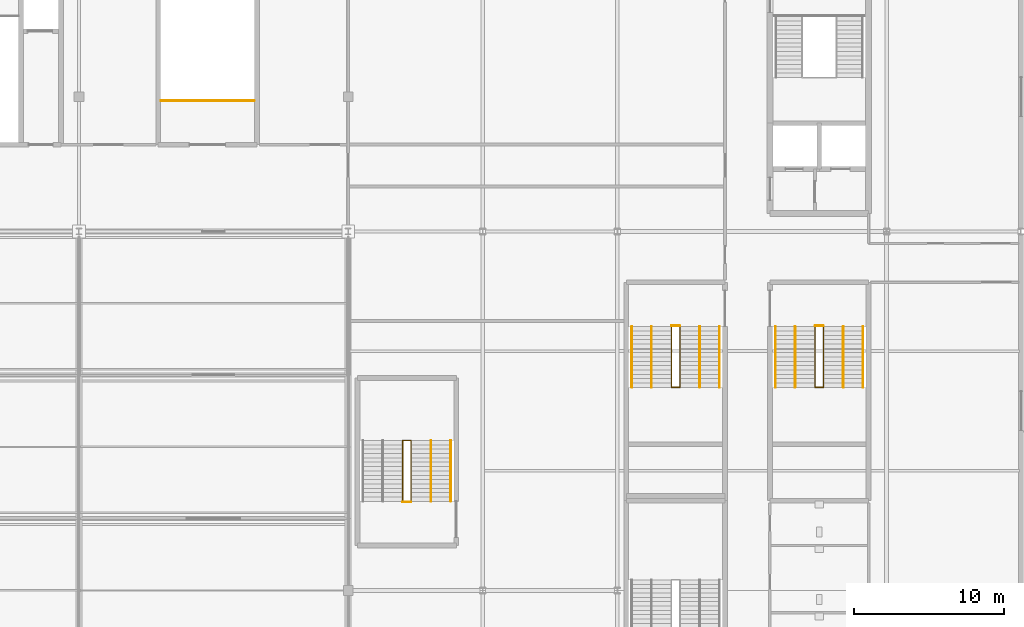
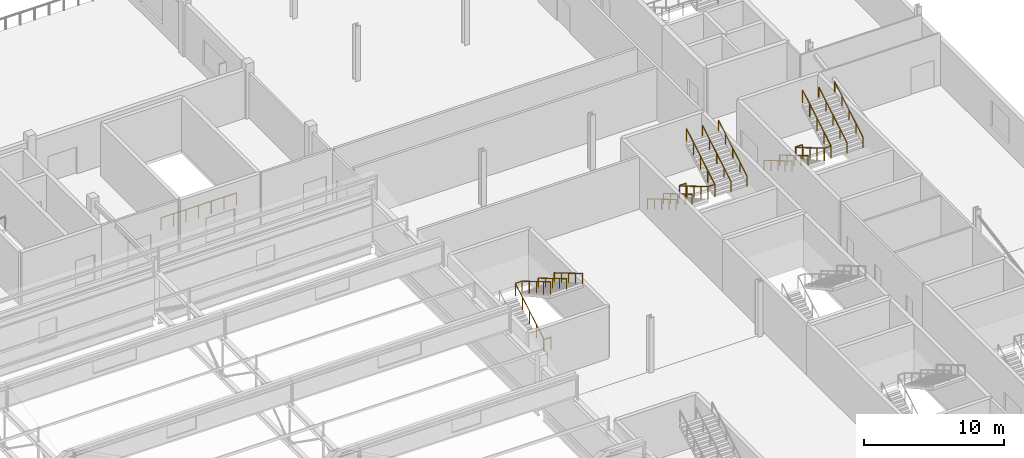
# One storey, part 134 of 136: 17 railings.
"""IFC4 building model written with IfcOpenShell, lengths in metres."""

from ifc_helpers import new_model, si_unit, direction, frame, origin, origin_2d, place, context, subcontext, project, spatial, circle, extrude, material, type_object, element, save


model = new_model("IFC4")

# Units and contexts
model_context = context("Model", 3, precision=1e-05, world=origin(), true_north=direction((0.0, 1.0)))
body_context = subcontext(model_context, "Body", "Model", "MODEL_VIEW")
ifc_project = project(units=[si_unit("LENGTHUNIT", "METRE"), si_unit("AREAUNIT", "SQUARE_METRE"), si_unit("VOLUMEUNIT", "CUBIC_METRE"), si_unit("PLANEANGLEUNIT", "RADIAN"), si_unit("MASSUNIT", "GRAM", prefix="KILO")], contexts=[model_context])

# Site, building, storey
site_placement = place(None, origin())
site = spatial("IfcSite", under=ifc_project, at=site_placement, CompositionType="ELEMENT")
building_placement = place(site_placement, origin())
building = spatial("IfcBuilding", under=site, at=building_placement, Name="Kisiwana Market Hall", CompositionType="ELEMENT")
storey_placement = place(building_placement, frame((0.0, 0.0, 16.800048828125)))
storey = spatial("IfcBuildingStorey", under=building, at=storey_placement, Name="L03", CompositionType="ELEMENT", Elevation=16.800048828125)

# Railings
ifc_material_1 = material(Name="Steel S275", Category="steel")
railing_type_1 = type_object("IfcRailingType", Name="RL-GUARD-1100", PredefinedType="GUARDRAIL", material=ifc_material_1)
railing_1_placement = place(storey_placement, frame((184.219970703125, 77.639892578125, 0.0)))
element("IfcRailing", 1, at=railing_1_placement, inside=storey, type_object=railing_type_1, Name="Stair ST-E4-L03 inner-well guardrail (RL-677)", PredefinedType="GUARDRAIL", context=body_context, shape_type="SweptSolid", body=[
    extrude(circle(Radius=0.02392578125, at=origin_2d()), frame((0.0, 0.0, 1.076171875), z_axis=(0.0, -0.860840976868, 0.508874063541), x_axis=(1.0, 0.0, 0.0)), (0.0, 0.0, 1.0), 4.716064453125),
    extrude(circle(Radius=0.02392578125, at=origin_2d()), frame((0.0, -4.059814453125, 3.47607421875), z_axis=(1.0, 0.0, 0.0), x_axis=(0.0, 1.0, 0.0)), (0.0, 0.0, 1.0), 0.56005859375),
    extrude(circle(Radius=0.02392578125, at=origin_2d()), frame((0.56005859375, -4.059814453125, 3.47607421875), z_axis=(0.0, 0.860818299379, 0.50891242415), x_axis=(-1.0, 0.0, 0.0)), (0.0, 0.0, 1.0), 4.71630859375),
    extrude(circle(Radius=0.02099609375, at=origin_2d()), origin(), (0.0, 0.0, 1.0), 1.052001953125),
    extrude(circle(Radius=0.02099609375, at=origin_2d()), frame((0.0, -1.014892578125, 0.60009765625)), (0.0, 0.0, 1.0), 1.052001953125),
    extrude(circle(Radius=0.02099609375, at=origin_2d()), frame((0.0, -2.02978515625, 1.199951171875)), (0.0, 0.0, 1.0), 1.052001953125),
    extrude(circle(Radius=0.02099609375, at=origin_2d()), frame((0.0, -3.044921875, 1.7998046875)), (0.0, 0.0, 1.0), 1.052001953125),
    extrude(circle(Radius=0.02099609375, at=origin_2d()), frame((0.0, -4.059814453125, 2.39990234375)), (0.0, 0.0, 1.0), 1.052001953125),
    extrude(circle(Radius=0.02099609375, at=origin_2d()), frame((0.56005859375, -4.059814453125, 2.39990234375)), (0.0, 0.0, 1.0), 1.052001953125),
    extrude(circle(Radius=0.02099609375, at=origin_2d()), frame((0.56005859375, -3.044921875, 3.0)), (0.0, 0.0, 1.0), 1.052001953125),
    extrude(circle(Radius=0.02099609375, at=origin_2d()), frame((0.56005859375, -2.02978515625, 3.60009765625)), (0.0, 0.0, 1.0), 1.052001953125),
    extrude(circle(Radius=0.02099609375, at=origin_2d()), frame((0.56005859375, -1.014892578125, 4.199951171875)), (0.0, 0.0, 1.0), 1.052001953125),
    extrude(circle(Radius=0.02099609375, at=origin_2d()), frame((0.56005859375, 0.0, 4.800048828125)), (0.0, 0.0, 1.0), 1.052001953125),
])
railing_2_placement = place(storey_placement, frame((184.219970703125, 77.68994140625, 0.0)))
element("IfcRailing", 2, at=railing_2_placement, inside=storey, type_object=railing_type_1, Name="Stair ST-E4-L03 landing edge guardrail (RL-682)", PredefinedType="GUARDRAIL", context=body_context, shape_type="SweptSolid", body=[
    extrude(circle(Radius=0.02392578125, at=origin_2d()), frame((0.0, 0.0, 1.076171875), z_axis=(1.0, 0.0, 0.0), x_axis=(0.0, 1.0, 0.0)), (0.0, 0.0, 1.0), 0.56005859375),
    extrude(circle(Radius=0.02099609375, at=origin_2d()), origin(), (0.0, 0.0, 1.0), 1.052001953125),
    extrude(circle(Radius=0.02099609375, at=origin_2d()), frame((0.56005859375, 0.0, 0.0)), (0.0, 0.0, 1.0), 1.052001953125),
])
railing_3_placement = place(storey_placement, frame((174.6201171875, 77.639892578125, 0.0)))
element("IfcRailing", 3, at=railing_3_placement, inside=storey, type_object=railing_type_1, Name="Stair ST-E8-L03 inner-well guardrail (RL-701)", PredefinedType="GUARDRAIL", context=body_context, shape_type="SweptSolid", body=[
    extrude(circle(Radius=0.02392578125, at=origin_2d()), frame((0.0, 0.0, 1.076171875), z_axis=(0.0, -0.860840976868, 0.508874063541), x_axis=(1.0, 0.0, 0.0)), (0.0, 0.0, 1.0), 4.716064453125),
    extrude(circle(Radius=0.02392578125, at=origin_2d()), frame((0.0, -4.059814453125, 3.47607421875), z_axis=(1.0, 0.0, 0.0), x_axis=(0.0, 1.0, 0.0)), (0.0, 0.0, 1.0), 0.559814453125),
    extrude(circle(Radius=0.02392578125, at=origin_2d()), frame((0.559814453125, -4.059814453125, 3.47607421875), z_axis=(0.0, 0.860818299379, 0.50891242415), x_axis=(-1.0, 0.0, 0.0)), (0.0, 0.0, 1.0), 4.71630859375),
    extrude(circle(Radius=0.02099609375, at=origin_2d()), origin(), (0.0, 0.0, 1.0), 1.052001953125),
    extrude(circle(Radius=0.02099609375, at=origin_2d()), frame((0.0, -1.014892578125, 0.60009765625)), (0.0, 0.0, 1.0), 1.052001953125),
    extrude(circle(Radius=0.02099609375, at=origin_2d()), frame((0.0, -2.02978515625, 1.199951171875)), (0.0, 0.0, 1.0), 1.052001953125),
    extrude(circle(Radius=0.02099609375, at=origin_2d()), frame((0.0, -3.044921875, 1.7998046875)), (0.0, 0.0, 1.0), 1.052001953125),
    extrude(circle(Radius=0.02099609375, at=origin_2d()), frame((0.0, -4.059814453125, 2.39990234375)), (0.0, 0.0, 1.0), 1.052001953125),
    extrude(circle(Radius=0.02099609375, at=origin_2d()), frame((0.559814453125, -4.059814453125, 2.39990234375)), (0.0, 0.0, 1.0), 1.052001953125),
    extrude(circle(Radius=0.02099609375, at=origin_2d()), frame((0.559814453125, -3.044921875, 3.0)), (0.0, 0.0, 1.0), 1.052001953125),
    extrude(circle(Radius=0.02099609375, at=origin_2d()), frame((0.559814453125, -2.02978515625, 3.60009765625)), (0.0, 0.0, 1.0), 1.052001953125),
    extrude(circle(Radius=0.02099609375, at=origin_2d()), frame((0.559814453125, -1.014892578125, 4.199951171875)), (0.0, 0.0, 1.0), 1.052001953125),
    extrude(circle(Radius=0.02099609375, at=origin_2d()), frame((0.559814453125, 0.0, 4.800048828125)), (0.0, 0.0, 1.0), 1.052001953125),
])
railing_4_placement = place(storey_placement, frame((174.6201171875, 77.68994140625, 0.0)))
element("IfcRailing", 4, at=railing_4_placement, inside=storey, type_object=railing_type_1, Name="Stair ST-E8-L03 landing edge guardrail (RL-706)", PredefinedType="GUARDRAIL", context=body_context, shape_type="SweptSolid", body=[
    extrude(circle(Radius=0.02392578125, at=origin_2d()), frame((0.0, 0.0, 1.076171875), z_axis=(1.0, 0.0, 0.0), x_axis=(0.0, 1.0, 0.0)), (0.0, 0.0, 1.0), 0.559814453125),
    extrude(circle(Radius=0.02099609375, at=origin_2d()), origin(), (0.0, 0.0, 1.0), 1.052001953125),
    extrude(circle(Radius=0.02099609375, at=origin_2d()), frame((0.559814453125, 0.0, 0.0)), (0.0, 0.0, 1.0), 1.052001953125),
])
railing_5_placement = place(storey_placement, frame((156.64990234375, 65.9599609375, 0.0)))
element("IfcRailing", 5, at=railing_5_placement, inside=storey, type_object=railing_type_1, Name="Stair ST-E10-L03 inner-well guardrail (RL-725)", PredefinedType="GUARDRAIL", context=body_context, shape_type="SweptSolid", body=[
    extrude(circle(Radius=0.02392578125, at=origin_2d()), frame((0.0, 0.0, 1.076171875), z_axis=(0.0, 0.8608543813, 0.508851387142), x_axis=(-1.0, 0.0, 0.0)), (0.0, 0.0, 1.0), 4.71630859375),
    extrude(circle(Radius=0.02392578125, at=origin_2d()), frame((0.0, 4.06005859375, 3.47607421875), z_axis=(1.0, 0.0, 0.0), x_axis=(0.0, 1.0, 0.0)), (0.0, 0.0, 1.0), 0.56005859375),
    extrude(circle(Radius=0.02392578125, at=origin_2d()), frame((0.56005859375, 4.06005859375, 3.47607421875), z_axis=(0.0, -0.860831705478, 0.508889747237), x_axis=(1.0, 0.0, 0.0)), (0.0, 0.0, 1.0), 4.716552734375),
    extrude(circle(Radius=0.02099609375, at=origin_2d()), origin(), (0.0, 0.0, 1.0), 1.052001953125),
    extrude(circle(Radius=0.02099609375, at=origin_2d()), frame((0.0, 1.01513671875, 0.60009765625)), (0.0, 0.0, 1.0), 1.052001953125),
    extrude(circle(Radius=0.02099609375, at=origin_2d()), frame((0.0, 2.030029296875, 1.199951171875)), (0.0, 0.0, 1.0), 1.052001953125),
    extrude(circle(Radius=0.02099609375, at=origin_2d()), frame((0.0, 3.044921875, 1.7998046875)), (0.0, 0.0, 1.0), 1.052001953125),
    extrude(circle(Radius=0.02099609375, at=origin_2d()), frame((0.0, 4.06005859375, 2.39990234375)), (0.0, 0.0, 1.0), 1.052001953125),
    extrude(circle(Radius=0.02099609375, at=origin_2d()), frame((0.56005859375, 4.06005859375, 2.39990234375)), (0.0, 0.0, 1.0), 1.052001953125),
    extrude(circle(Radius=0.02099609375, at=origin_2d()), frame((0.56005859375, 3.044921875, 3.0)), (0.0, 0.0, 1.0), 1.052001953125),
    extrude(circle(Radius=0.02099609375, at=origin_2d()), frame((0.56005859375, 2.030029296875, 3.60009765625)), (0.0, 0.0, 1.0), 1.052001953125),
    extrude(circle(Radius=0.02099609375, at=origin_2d()), frame((0.56005859375, 1.01513671875, 4.199951171875)), (0.0, 0.0, 1.0), 1.052001953125),
    extrude(circle(Radius=0.02099609375, at=origin_2d()), frame((0.56005859375, 0.0, 4.800048828125)), (0.0, 0.0, 1.0), 1.052001953125),
])
railing_6_placement = place(storey_placement, frame((156.64990234375, 65.909912109375, 0.0)))
element("IfcRailing", 6, at=railing_6_placement, inside=storey, type_object=railing_type_1, Name="Stair ST-E10-L03 landing edge guardrail (RL-730)", PredefinedType="GUARDRAIL", context=body_context, shape_type="SweptSolid", body=[
    extrude(circle(Radius=0.02392578125, at=origin_2d()), frame((0.0, 0.0, 1.076171875), z_axis=(1.0, 0.0, 0.0), x_axis=(0.0, 1.0, 0.0)), (0.0, 0.0, 1.0), 0.56005859375),
    extrude(circle(Radius=0.02099609375, at=origin_2d()), origin(), (0.0, 0.0, 1.0), 1.052001953125),
    extrude(circle(Radius=0.02099609375, at=origin_2d()), frame((0.56005859375, 0.0, 0.0)), (0.0, 0.0, 1.0), 1.052001953125),
])
railing_7_placement = place(storey_placement, frame((140.47998046875, 92.739990234375, 0.0)))
element("IfcRailing", 7, at=railing_7_placement, inside=storey, type_object=railing_type_1, Name="Core N6 top stairwell guardrail (L03) (RL-750)", PredefinedType="GUARDRAIL", context=body_context, shape_type="SweptSolid", body=[
    extrude(circle(Radius=0.02392578125, at=origin_2d()), frame((0.0, 0.0, 1.076171875), z_axis=(1.0, 0.0, 0.0), x_axis=(0.0, 1.0, 0.0)), (0.0, 0.0, 1.0), 6.239990234375),
    extrude(circle(Radius=0.02099609375, at=origin_2d()), origin(), (0.0, 0.0, 1.0), 1.052001953125),
    extrude(circle(Radius=0.02099609375, at=origin_2d()), frame((1.0400390625, 0.0, 0.0)), (0.0, 0.0, 1.0), 1.052001953125),
    extrude(circle(Radius=0.02099609375, at=origin_2d()), frame((2.080078125, 0.0, 0.0)), (0.0, 0.0, 1.0), 1.052001953125),
    extrude(circle(Radius=0.02099609375, at=origin_2d()), frame((3.1201171875, 0.0, 0.0)), (0.0, 0.0, 1.0), 1.052001953125),
    extrude(circle(Radius=0.02099609375, at=origin_2d()), frame((4.159912109375, 0.0, 0.0)), (0.0, 0.0, 1.0), 1.052001953125),
    extrude(circle(Radius=0.02099609375, at=origin_2d()), frame((5.199951171875, 0.0, 0.0)), (0.0, 0.0, 1.0), 1.052001953125),
    extrude(circle(Radius=0.02099609375, at=origin_2d()), frame((6.239990234375, 0.0, 0.0)), (0.0, 0.0, 1.0), 1.052001953125),
])
ifc_material_2 = material(Name="Steel S275", Category="steel")
railing_type_2 = type_object("IfcRailingType", Name="RL-HAND-900", PredefinedType="HANDRAIL", material=ifc_material_2)
railing_8_placement = place(storey_placement, frame((181.570068359375, 77.639892578125, 0.0)))
element("IfcRailing", 8, at=railing_8_placement, inside=storey, type_object=railing_type_2, Name="Stair ST-E4-L03 flight 1 handrail (RL-678)", PredefinedType="HANDRAIL", context=body_context, shape_type="SweptSolid", body=[
    extrude(circle(Radius=0.02392578125, at=origin_2d()), frame((0.0, 0.0, 0.8759765625), z_axis=(0.0, -0.860840976868, 0.508874063541), x_axis=(1.0, 0.0, 0.0)), (0.0, 0.0, 1.0), 4.716064453125),
    extrude(circle(Radius=0.02099609375, at=origin_2d()), origin(), (0.0, 0.0, 1.0), 0.851806640625),
    extrude(circle(Radius=0.02099609375, at=origin_2d()), frame((0.0, -1.014892578125, 0.60009765625)), (0.0, 0.0, 1.0), 0.851806640625),
    extrude(circle(Radius=0.02099609375, at=origin_2d()), frame((0.0, -2.02978515625, 1.199951171875)), (0.0, 0.0, 1.0), 0.851806640625),
    extrude(circle(Radius=0.02099609375, at=origin_2d()), frame((0.0, -3.044921875, 1.7998046875)), (0.0, 0.0, 1.0), 0.851806640625),
    extrude(circle(Radius=0.02099609375, at=origin_2d()), frame((0.0, -4.059814453125, 2.39990234375)), (0.0, 0.0, 1.0), 0.851806640625),
])
railing_9_placement = place(storey_placement, frame((187.429931640625, 73.580078125, 2.39990234375)))
element("IfcRailing", 9, at=railing_9_placement, inside=storey, type_object=railing_type_2, Name="Stair ST-E4-L03 flight 2 handrail (RL-679)", PredefinedType="HANDRAIL", context=body_context, shape_type="SweptSolid", body=[
    extrude(circle(Radius=0.02392578125, at=origin_2d()), frame((0.0, 0.0, 0.8759765625), z_axis=(0.0, 0.860818299379, 0.50891242415), x_axis=(-1.0, 0.0, 0.0)), (0.0, 0.0, 1.0), 4.71630859375),
    extrude(circle(Radius=0.02099609375, at=origin_2d()), origin(), (0.0, 0.0, 1.0), 0.851806640625),
    extrude(circle(Radius=0.02099609375, at=origin_2d()), frame((0.0, 1.014892578125, 0.60009765625)), (0.0, 0.0, 1.0), 0.851806640625),
    extrude(circle(Radius=0.02099609375, at=origin_2d()), frame((0.0, 2.02978515625, 1.2001953125)), (0.0, 0.0, 1.0), 0.851806640625),
    extrude(circle(Radius=0.02099609375, at=origin_2d()), frame((0.0, 3.044921875, 1.800048828125)), (0.0, 0.0, 1.0), 0.851806640625),
    extrude(circle(Radius=0.02099609375, at=origin_2d()), frame((0.0, 4.059814453125, 2.400146484375)), (0.0, 0.0, 1.0), 0.851806640625),
])
railing_10_placement = place(storey_placement, frame((182.889892578125, 77.639892578125, 0.0)))
element("IfcRailing", 10, at=railing_10_placement, inside=storey, type_object=railing_type_2, Name="Stair ST-E4-L03 flight 1 intermediate handrail (RL-680)", PredefinedType="HANDRAIL", context=body_context, shape_type="SweptSolid", body=[
    extrude(circle(Radius=0.02392578125, at=origin_2d()), frame((0.0, 0.0, 0.8759765625), z_axis=(0.0, -0.860840976868, 0.508874063541), x_axis=(1.0, 0.0, 0.0)), (0.0, 0.0, 1.0), 4.716064453125),
    extrude(circle(Radius=0.02099609375, at=origin_2d()), origin(), (0.0, 0.0, 1.0), 0.851806640625),
    extrude(circle(Radius=0.02099609375, at=origin_2d()), frame((0.0, -1.014892578125, 0.60009765625)), (0.0, 0.0, 1.0), 0.851806640625),
    extrude(circle(Radius=0.02099609375, at=origin_2d()), frame((0.0, -2.02978515625, 1.199951171875)), (0.0, 0.0, 1.0), 0.851806640625),
    extrude(circle(Radius=0.02099609375, at=origin_2d()), frame((0.0, -3.044921875, 1.7998046875)), (0.0, 0.0, 1.0), 0.851806640625),
    extrude(circle(Radius=0.02099609375, at=origin_2d()), frame((0.0, -4.059814453125, 2.39990234375)), (0.0, 0.0, 1.0), 0.851806640625),
])
railing_11_placement = place(storey_placement, frame((186.110107421875, 73.580078125, 2.39990234375)))
element("IfcRailing", 11, at=railing_11_placement, inside=storey, type_object=railing_type_2, Name="Stair ST-E4-L03 flight 2 intermediate handrail (RL-681)", PredefinedType="HANDRAIL", context=body_context, shape_type="SweptSolid", body=[
    extrude(circle(Radius=0.02392578125, at=origin_2d()), frame((0.0, 0.0, 0.8759765625), z_axis=(0.0, 0.860818299379, 0.50891242415), x_axis=(-1.0, 0.0, 0.0)), (0.0, 0.0, 1.0), 4.71630859375),
    extrude(circle(Radius=0.02099609375, at=origin_2d()), origin(), (0.0, 0.0, 1.0), 0.851806640625),
    extrude(circle(Radius=0.02099609375, at=origin_2d()), frame((0.0, 1.014892578125, 0.60009765625)), (0.0, 0.0, 1.0), 0.851806640625),
    extrude(circle(Radius=0.02099609375, at=origin_2d()), frame((0.0, 2.02978515625, 1.2001953125)), (0.0, 0.0, 1.0), 0.851806640625),
    extrude(circle(Radius=0.02099609375, at=origin_2d()), frame((0.0, 3.044921875, 1.800048828125)), (0.0, 0.0, 1.0), 0.851806640625),
    extrude(circle(Radius=0.02099609375, at=origin_2d()), frame((0.0, 4.059814453125, 2.400146484375)), (0.0, 0.0, 1.0), 0.851806640625),
])
railing_12_placement = place(storey_placement, frame((171.969970703125, 77.639892578125, 0.0)))
element("IfcRailing", 12, at=railing_12_placement, inside=storey, type_object=railing_type_2, Name="Stair ST-E8-L03 flight 1 handrail (RL-702)", PredefinedType="HANDRAIL", context=body_context, shape_type="SweptSolid", body=[
    extrude(circle(Radius=0.02392578125, at=origin_2d()), frame((0.0, 0.0, 0.8759765625), z_axis=(0.0, -0.860840976868, 0.508874063541), x_axis=(1.0, 0.0, 0.0)), (0.0, 0.0, 1.0), 4.716064453125),
    extrude(circle(Radius=0.02099609375, at=origin_2d()), origin(), (0.0, 0.0, 1.0), 0.851806640625),
    extrude(circle(Radius=0.02099609375, at=origin_2d()), frame((0.0, -1.014892578125, 0.60009765625)), (0.0, 0.0, 1.0), 0.851806640625),
    extrude(circle(Radius=0.02099609375, at=origin_2d()), frame((0.0, -2.02978515625, 1.199951171875)), (0.0, 0.0, 1.0), 0.851806640625),
    extrude(circle(Radius=0.02099609375, at=origin_2d()), frame((0.0, -3.044921875, 1.7998046875)), (0.0, 0.0, 1.0), 0.851806640625),
    extrude(circle(Radius=0.02099609375, at=origin_2d()), frame((0.0, -4.059814453125, 2.39990234375)), (0.0, 0.0, 1.0), 0.851806640625),
])
railing_13_placement = place(storey_placement, frame((177.830078125, 73.580078125, 2.39990234375)))
element("IfcRailing", 13, at=railing_13_placement, inside=storey, type_object=railing_type_2, Name="Stair ST-E8-L03 flight 2 handrail (RL-703)", PredefinedType="HANDRAIL", context=body_context, shape_type="SweptSolid", body=[
    extrude(circle(Radius=0.02392578125, at=origin_2d()), frame((0.0, 0.0, 0.8759765625), z_axis=(0.0, 0.860818299379, 0.50891242415), x_axis=(-1.0, 0.0, 0.0)), (0.0, 0.0, 1.0), 4.71630859375),
    extrude(circle(Radius=0.02099609375, at=origin_2d()), origin(), (0.0, 0.0, 1.0), 0.851806640625),
    extrude(circle(Radius=0.02099609375, at=origin_2d()), frame((0.0, 1.014892578125, 0.60009765625)), (0.0, 0.0, 1.0), 0.851806640625),
    extrude(circle(Radius=0.02099609375, at=origin_2d()), frame((0.0, 2.02978515625, 1.2001953125)), (0.0, 0.0, 1.0), 0.851806640625),
    extrude(circle(Radius=0.02099609375, at=origin_2d()), frame((0.0, 3.044921875, 1.800048828125)), (0.0, 0.0, 1.0), 0.851806640625),
    extrude(circle(Radius=0.02099609375, at=origin_2d()), frame((0.0, 4.059814453125, 2.400146484375)), (0.0, 0.0, 1.0), 0.851806640625),
])
railing_14_placement = place(storey_placement, frame((173.2900390625, 77.639892578125, 0.0)))
element("IfcRailing", 14, at=railing_14_placement, inside=storey, type_object=railing_type_2, Name="Stair ST-E8-L03 flight 1 intermediate handrail (RL-704)", PredefinedType="HANDRAIL", context=body_context, shape_type="SweptSolid", body=[
    extrude(circle(Radius=0.02392578125, at=origin_2d()), frame((0.0, 0.0, 0.8759765625), z_axis=(0.0, -0.860840976868, 0.508874063541), x_axis=(1.0, 0.0, 0.0)), (0.0, 0.0, 1.0), 4.716064453125),
    extrude(circle(Radius=0.02099609375, at=origin_2d()), origin(), (0.0, 0.0, 1.0), 0.851806640625),
    extrude(circle(Radius=0.02099609375, at=origin_2d()), frame((0.0, -1.014892578125, 0.60009765625)), (0.0, 0.0, 1.0), 0.851806640625),
    extrude(circle(Radius=0.02099609375, at=origin_2d()), frame((0.0, -2.02978515625, 1.199951171875)), (0.0, 0.0, 1.0), 0.851806640625),
    extrude(circle(Radius=0.02099609375, at=origin_2d()), frame((0.0, -3.044921875, 1.7998046875)), (0.0, 0.0, 1.0), 0.851806640625),
    extrude(circle(Radius=0.02099609375, at=origin_2d()), frame((0.0, -4.059814453125, 2.39990234375)), (0.0, 0.0, 1.0), 0.851806640625),
])
railing_15_placement = place(storey_placement, frame((176.510009765625, 73.580078125, 2.39990234375)))
element("IfcRailing", 15, at=railing_15_placement, inside=storey, type_object=railing_type_2, Name="Stair ST-E8-L03 flight 2 intermediate handrail (RL-705)", PredefinedType="HANDRAIL", context=body_context, shape_type="SweptSolid", body=[
    extrude(circle(Radius=0.02392578125, at=origin_2d()), frame((0.0, 0.0, 0.8759765625), z_axis=(0.0, 0.860818299379, 0.50891242415), x_axis=(-1.0, 0.0, 0.0)), (0.0, 0.0, 1.0), 4.71630859375),
    extrude(circle(Radius=0.02099609375, at=origin_2d()), origin(), (0.0, 0.0, 1.0), 0.851806640625),
    extrude(circle(Radius=0.02099609375, at=origin_2d()), frame((0.0, 1.014892578125, 0.60009765625)), (0.0, 0.0, 1.0), 0.851806640625),
    extrude(circle(Radius=0.02099609375, at=origin_2d()), frame((0.0, 2.02978515625, 1.2001953125)), (0.0, 0.0, 1.0), 0.851806640625),
    extrude(circle(Radius=0.02099609375, at=origin_2d()), frame((0.0, 3.044921875, 1.800048828125)), (0.0, 0.0, 1.0), 0.851806640625),
    extrude(circle(Radius=0.02099609375, at=origin_2d()), frame((0.0, 4.059814453125, 2.400146484375)), (0.0, 0.0, 1.0), 0.851806640625),
])
for number, where, name in (
    (16, (159.860107421875, 70.02001953125, 2.39990234375), "Stair ST-E10-L03 flight 2 handrail (RL-727)"),
    (17, (158.5400390625, 70.02001953125, 2.39990234375), "Stair ST-E10-L03 flight 2 intermediate handrail (RL-729)"),
):
    element("IfcRailing", number, at=place(storey_placement, frame(where)), inside=storey, type_object=railing_type_2, Name=name, PredefinedType="HANDRAIL", context=body_context, shape_type="SweptSolid", body=[
        extrude(circle(Radius=0.02392578125, at=origin_2d()), frame((0.0, 0.0, 0.8759765625), z_axis=(0.0, -0.860831705478, 0.508889747237), x_axis=(1.0, 0.0, 0.0)), (0.0, 0.0, 1.0), 4.716552734375),
        extrude(circle(Radius=0.02099609375, at=origin_2d()), origin(), (0.0, 0.0, 1.0), 0.851806640625),
        extrude(circle(Radius=0.02099609375, at=origin_2d()), frame((0.0, -1.01513671875, 0.60009765625)), (0.0, 0.0, 1.0), 0.851806640625),
        extrude(circle(Radius=0.02099609375, at=origin_2d()), frame((0.0, -2.030029296875, 1.2001953125)), (0.0, 0.0, 1.0), 0.851806640625),
        extrude(circle(Radius=0.02099609375, at=origin_2d()), frame((0.0, -3.044921875, 1.800048828125)), (0.0, 0.0, 1.0), 0.851806640625),
        extrude(circle(Radius=0.02099609375, at=origin_2d()), frame((0.0, -4.06005859375, 2.400146484375)), (0.0, 0.0, 1.0), 0.851806640625),
    ])

save(model, "model.ifc")
